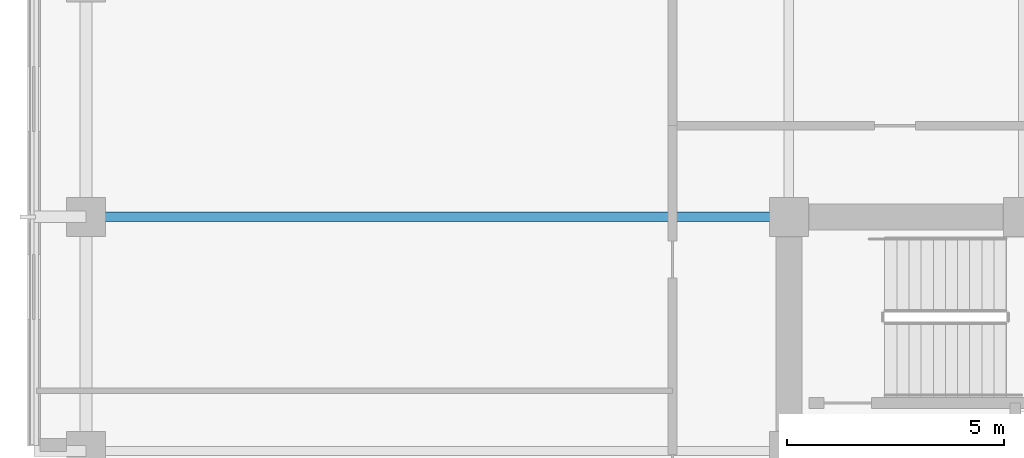
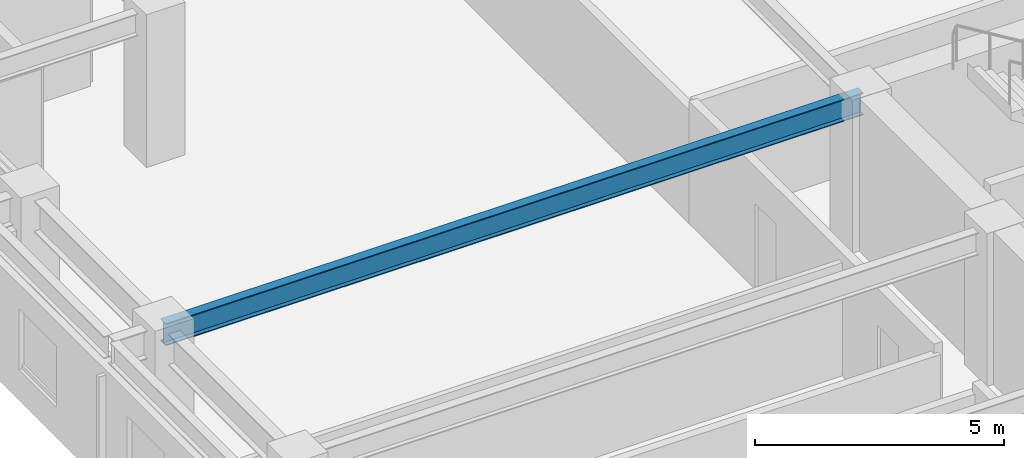
# One storey, part 17 of 32: 1 beam.
"""IFC4 building model written with IfcOpenShell, lengths in metres."""

from ifc_helpers import new_model, si_unit, direction, frame, origin, origin_2d, place, context, subcontext, project, spatial, i_section, extrude, material, material_profile, profile_set, type_object, element, save


model = new_model("IFC4")

# Units and contexts
model_context = context("Model", 3, precision=1e-05, world=origin(), true_north=direction((0.0, 1.0)))
body_context = subcontext(model_context, "Body", "Model", "MODEL_VIEW")
ifc_project = project(units=[si_unit("LENGTHUNIT", "METRE"), si_unit("AREAUNIT", "SQUARE_METRE"), si_unit("VOLUMEUNIT", "CUBIC_METRE"), si_unit("PLANEANGLEUNIT", "RADIAN"), si_unit("MASSUNIT", "GRAM", prefix="KILO")], contexts=[model_context])

# Site, building, storey
site_placement = place(None, origin())
site = spatial("IfcSite", under=ifc_project, at=site_placement, CompositionType="ELEMENT")
building_placement = place(site_placement, origin())
building = spatial("IfcBuilding", under=site, at=building_placement, Name="Surkhivell Harbour Commons", CompositionType="ELEMENT")
storey_placement = place(building_placement, frame((0.0, 0.0, 186.0)))
storey = spatial("IfcBuildingStorey", under=building, at=storey_placement, Name="L48", CompositionType="ELEMENT", Elevation=186.0)

# Beam
ifc_material = material(Name="Steel S355", Category="steel")
ifc_material_profile = material_profile(ifc_material, i_section(OverallWidth=0.2119140625, OverallDepth=0.5439453125, WebThickness=0.0126953125, FlangeThickness=0.021240234375, at=origin_2d()), Name="UB533x210x122")
ifc_profile_set = profile_set([ifc_material_profile], Name="Steel S355")
beam_type = type_object("IfcBeamType", Name="BM-GRD-533A", PredefinedType="BEAM", material=ifc_profile_set)
beam_placement = place(storey_placement, frame((-27.0, 10.800048828125, 3.298095703125), z_axis=(1.0, 0.0, 0.0), x_axis=(0.0, 1.0, 0.0)))
element("IfcBeam", 1, at=beam_placement, inside=storey, type_object=beam_type, Name="L48 Floor Girder (-27.0,10.8)", PredefinedType="BEAM", context=body_context, shape_type="SweptSolid", body=[
    extrude(i_section(OverallWidth=0.2119140625, OverallDepth=0.5439453125, WebThickness=0.0126953125, FlangeThickness=0.021240234375, at=origin_2d()), origin(), (0.0, 0.0, 1.0), 16.199951171875),
])

save(model, "model.ifc")
